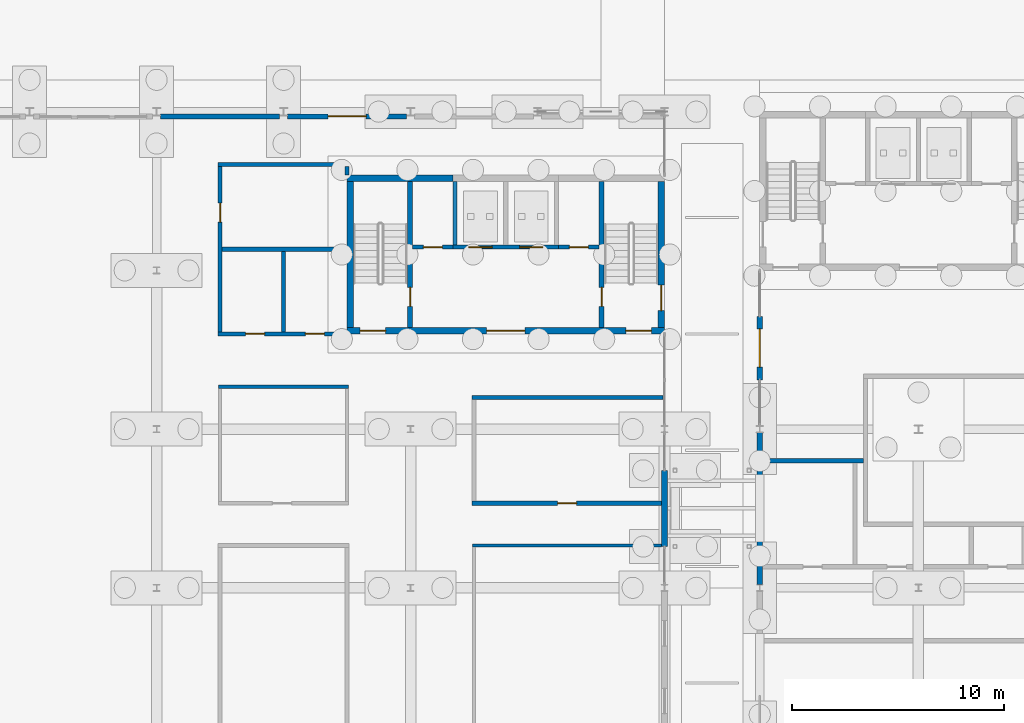
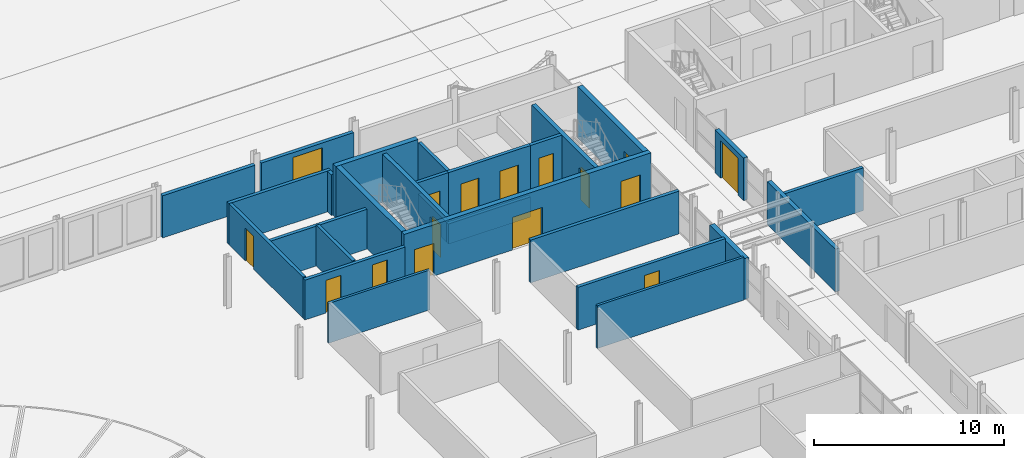
# One storey, part 81 of 130: 28 walls, 16 doors, 16 openings.
"""IFC4 building model written with IfcOpenShell, lengths in metres."""

from ifc_helpers import new_model, si_unit, direction, frame, frame_2d, origin, place, context, subcontext, project, spatial, rectangle, extrude, material, layer, layer_set, type_object, element, fill, save


model = new_model("IFC4")

# Units and contexts
model_context = context("Model", 3, precision=1e-05, world=origin(), true_north=direction((0.0, 1.0)))
body_context = subcontext(model_context, "Body", "Model", "MODEL_VIEW")
ifc_project = project(units=[si_unit("LENGTHUNIT", "METRE"), si_unit("AREAUNIT", "SQUARE_METRE"), si_unit("VOLUMEUNIT", "CUBIC_METRE"), si_unit("PLANEANGLEUNIT", "RADIAN"), si_unit("MASSUNIT", "GRAM", prefix="KILO")], contexts=[model_context])

# Site, building, storey
site_placement = place(None, origin())
site = spatial("IfcSite", under=ifc_project, at=site_placement, CompositionType="ELEMENT")
building_placement = place(site_placement, origin())
building = spatial("IfcBuilding", under=site, at=building_placement, Name="Parallax Yard Mobility Hub", CompositionType="ELEMENT")
storey_placement = place(building_placement, origin())
storey = spatial("IfcBuildingStorey", under=building, at=storey_placement, Name="L00", CompositionType="ELEMENT", Elevation=0.0)

# Wall, openings, doors
ifc_material_1 = material(Name="Concrete fc' 35 MPa", Category="concrete")
ifc_layer_1 = layer(ifc_material_1, 0.300048828125)
ifc_layer_set_1 = layer_set([ifc_layer_1], Name="Concrete fc' 35 MPa core wall 300")
wall_type_1 = type_object("IfcWallType", Name="Concrete fc' 35 MPa core wall 300", PredefinedType="SHEAR", material=ifc_layer_set_1)
wall_1_placement = place(storey_placement, frame((93.0, 42.14990234375, 0.0), z_axis=(0.0, 0.0, 1.0), x_axis=(-1.0, 0.0, 0.0)))
wall_1 = element("IfcWall", 1, at=wall_1_placement, inside=storey, type_object=wall_type_1, Name="Core C1 entry wall level L00", PredefinedType="SHEAR", context=body_context, shape_type="SweptSolid", body=[
    extrude(rectangle(XDim=15.0, YDim=0.300048828125, at=frame_2d((7.5, 0.0))), origin(), (0.0, 0.0, 1.0), 3.300048828125),
])
opening_1_placement = place(wall_1_placement, frame((13.179931640625, 0.0, 0.0)))
opening_1 = element("IfcOpeningElement", 2, at=opening_1_placement, cuts=wall_1, Name="Opening L00-D775", PredefinedType="OPENING", context=body_context, shape_type="SweptSolid", body=[
    extrude(rectangle(XDim=1.199951171875, YDim=2.10009765625, at=frame_2d((0.60009765625, 1.050048828125))), frame((0.0, 0.16015625, 0.0), z_axis=(0.0, -1.0, 0.0), x_axis=(1.0, 0.0, 0.0)), (0.0, 0.0, 1.0), 0.320068359375),
])
opening_2_placement = place(wall_1_placement, frame((0.6201171875, 0.0, 0.0)))
opening_2 = element("IfcOpeningElement", 3, at=opening_2_placement, cuts=wall_1, Name="Opening L00-D776", PredefinedType="OPENING", context=body_context, shape_type="SweptSolid", body=[
    extrude(rectangle(XDim=1.199951171875, YDim=2.10009765625, at=frame_2d((0.60009765625, 1.050048828125))), frame((0.0, 0.16015625, 0.0), z_axis=(0.0, -1.0, 0.0), x_axis=(1.0, 0.0, 0.0)), (0.0, 0.0, 1.0), 0.320068359375),
])
opening_3_placement = place(wall_1_placement, frame((6.60009765625, 0.0, 0.0)))
opening_3 = element("IfcOpeningElement", 4, at=opening_3_placement, cuts=wall_1, Name="Opening L00-D777", PredefinedType="OPENING", context=body_context, shape_type="SweptSolid", body=[
    extrude(rectangle(XDim=1.800048828125, YDim=2.10009765625, at=frame_2d((0.89990234375, 1.050048828125))), frame((0.0, 0.16015625, 0.0), z_axis=(0.0, -1.0, 0.0), x_axis=(1.0, 0.0, 0.0)), (0.0, 0.0, 1.0), 0.320068359375),
])
ifc_material_2 = material(Name="Hollow metal steel door and frame", Category="steel")
door_type_1 = type_object("IfcDoorType", Name="Core door 1200 x 2100 FD90", OperationType="NOTDEFINED", PredefinedType="DOOR", material=ifc_material_2)
door_1_placement = place(opening_1_placement, origin())
door_1 = element("IfcDoor", 5, at=door_1_placement, inside=storey, type_object=door_type_1, Name="Stair deck door L00-D775, core C1 level L00", OperationType="SINGLE_SWING_RIGHT", OverallHeight=2.10009765625, OverallWidth=1.199951171875, PredefinedType="DOOR", context=body_context, shape_type="SweptSolid", body=[
    extrude(rectangle(XDim=1.199951171875, YDim=2.10009765625, at=frame_2d((0.60009765625, 1.050048828125))), frame((0.0, 0.02490234375, 0.0), z_axis=(0.0, -1.0, 0.0), x_axis=(1.0, 0.0, 0.0)), (0.0, 0.0, 1.0), 0.050048828125),
])
fill(opening_1, door_1)
door_2_placement = place(opening_2_placement, origin())
door_2 = element("IfcDoor", 6, at=door_2_placement, inside=storey, type_object=door_type_1, Name="Stair deck door L00-D776, core C1 level L00", OperationType="SINGLE_SWING_LEFT", OverallHeight=2.10009765625, OverallWidth=1.199951171875, PredefinedType="DOOR", context=body_context, shape_type="SweptSolid", body=[
    extrude(rectangle(XDim=1.199951171875, YDim=2.10009765625, at=frame_2d((0.60009765625, 1.050048828125))), frame((0.0, 0.02490234375, 0.0), z_axis=(0.0, -1.0, 0.0), x_axis=(1.0, 0.0, 0.0)), (0.0, 0.0, 1.0), 0.050048828125),
])
fill(opening_2, door_2)
door_type_2 = type_object("IfcDoorType", Name="Core double door 1800 x 2100 FD90", OperationType="NOTDEFINED", PredefinedType="DOOR", material=ifc_material_2)
door_3_placement = place(opening_3_placement, origin())
door_3 = element("IfcDoor", 7, at=door_3_placement, inside=storey, type_object=door_type_2, Name="Lift lobby door L00-D777, core C1 level L00", OperationType="DOUBLE_DOOR_SINGLE_SWING", OverallHeight=2.10009765625, OverallWidth=1.800048828125, PredefinedType="DOOR", context=body_context, shape_type="SweptSolid", body=[
    extrude(rectangle(XDim=1.800048828125, YDim=2.10009765625, at=frame_2d((0.89990234375, 1.050048828125))), frame((0.0, 0.02490234375, 0.0), z_axis=(0.0, -1.0, 0.0), x_axis=(1.0, 0.0, 0.0)), (0.0, 0.0, 1.0), 0.050048828125),
])
fill(opening_3, door_3)

# Walls
wall_2_placement = place(storey_placement, frame((78.0, 49.35009765625, 0.0), z_axis=(0.0, 0.0, 1.0), x_axis=(1.0, 0.0, 0.0)))
element("IfcWall", 8, at=wall_2_placement, inside=storey, type_object=wall_type_1, Name="Core C1 back wall part 1 level L00", PredefinedType="SHEAR", context=body_context, shape_type="SweptSolid", body=[
    extrude(rectangle(XDim=5.0, YDim=0.300048828125, at=frame_2d((2.5, 0.0))), origin(), (0.0, 0.0, 1.0), 3.300048828125),
])
wall_3_placement = place(storey_placement, frame((78.14990234375, 42.300048828125, 0.0), z_axis=(0.0, 0.0, 1.0), x_axis=(0.0, 1.0, 0.0)))
element("IfcWall", 9, at=wall_3_placement, inside=storey, type_object=wall_type_1, Name="Core C1 west-side end wall level L00", PredefinedType="SHEAR", context=body_context, shape_type="SweptSolid", body=[
    extrude(rectangle(XDim=6.89990234375, YDim=0.300048828125, at=frame_2d((3.449951171875, 0.0))), origin(), (0.0, 0.0, 1.0), 3.300048828125),
])

# Wall, opening, door
wall_4_placement = place(storey_placement, frame((92.85009765625, 49.199951171875, 0.0), z_axis=(0.0, 0.0, 1.0), x_axis=(0.0, -1.0, 0.0)))
wall_4 = element("IfcWall", 10, at=wall_4_placement, inside=storey, type_object=wall_type_1, Name="Core C1 east-side end wall level L00", PredefinedType="SHEAR", context=body_context, shape_type="SweptSolid", body=[
    extrude(rectangle(XDim=6.89990234375, YDim=0.300048828125, at=frame_2d((3.449951171875, 0.0))), origin(), (0.0, 0.0, 1.0), 3.300048828125),
])
opening_4_placement = place(wall_4_placement, frame((4.89990234375, 0.0, 0.0)))
opening_4 = element("IfcOpeningElement", 11, at=opening_4_placement, cuts=wall_4, Name="Opening L00-D784", PredefinedType="OPENING", context=body_context, shape_type="SweptSolid", body=[
    extrude(rectangle(XDim=1.199951171875, YDim=2.10009765625, at=frame_2d((0.60009765625, 1.050048828125))), frame((0.0, 0.16015625, 0.0), z_axis=(0.0, -1.0, 0.0), x_axis=(1.0, 0.0, 0.0)), (0.0, 0.0, 1.0), 0.320068359375),
])
door_4_placement = place(opening_4_placement, origin())
door_4 = element("IfcDoor", 12, at=door_4_placement, inside=storey, type_object=door_type_1, Name="Stair exit door L00-D784, core C1 level L00", OperationType="SINGLE_SWING_RIGHT", OverallHeight=2.10009765625, OverallWidth=1.199951171875, PredefinedType="DOOR", context=body_context, shape_type="SweptSolid", body=[
    extrude(rectangle(XDim=1.199951171875, YDim=2.10009765625, at=frame_2d((0.60009765625, 1.050048828125))), frame((0.0, 0.02490234375, 0.0), z_axis=(0.0, -1.0, 0.0), x_axis=(1.0, 0.0, 0.0)), (0.0, 0.0, 1.0), 0.050048828125),
])
fill(opening_4, door_4)

ifc_layer_2 = layer(ifc_material_1, 0.199951171875)
ifc_layer_set_2 = layer_set([ifc_layer_2], Name="Concrete fc' 35 MPa internal core wall 200")
wall_type_2 = type_object("IfcWallType", Name="Concrete fc' 35 MPa internal core wall 200", PredefinedType="STANDARD", material=ifc_layer_set_2)
wall_5_placement = place(storey_placement, frame((83.0, 46.10009765625, 0.0), z_axis=(0.0, 0.0, 1.0), x_axis=(-1.0, 0.0, 0.0)))
wall_5 = element("IfcWall", 13, at=wall_5_placement, inside=storey, type_object=wall_type_2, Name="Core C1 lift front 1 part 1 level L00", PredefinedType="STANDARD", context=body_context, shape_type="SweptSolid", body=[
    extrude(rectangle(XDim=1.89990234375, YDim=0.199951171875, at=frame_2d((0.949951171875, 0.0))), origin(), (0.0, 0.0, 1.0), 3.10009765625),
])
opening_5_placement = place(wall_5_placement, frame((0.5, 0.0, 0.0)))
opening_5 = element("IfcOpeningElement", 14, at=opening_5_placement, cuts=wall_5, Name="Opening L00-D782", PredefinedType="OPENING", context=body_context, shape_type="SweptSolid", body=[
    extrude(rectangle(XDim=0.89990234375, YDim=2.10009765625, at=frame_2d((0.449951171875, 1.050048828125))), frame((0.0, 0.10986328125, 0.0), z_axis=(0.0, -1.0, 0.0), x_axis=(1.0, 0.0, 0.0)), (0.0, 0.0, 1.0), 0.219970703125),
])
door_type_3 = type_object("IfcDoorType", Name="Riser door 900 x 2100 FD90", OperationType="NOTDEFINED", PredefinedType="DOOR", material=ifc_material_2)
door_5_placement = place(opening_5_placement, origin())
door_5 = element("IfcDoor", 15, at=door_5_placement, inside=storey, type_object=door_type_3, Name="Riser door L00-D782, core C1 level L00", OperationType="SINGLE_SWING_RIGHT", OverallHeight=2.10009765625, OverallWidth=0.89990234375, PredefinedType="DOOR", context=body_context, shape_type="SweptSolid", body=[
    extrude(rectangle(XDim=0.89990234375, YDim=2.10009765625, at=frame_2d((0.449951171875, 1.050048828125))), frame((0.0, 0.02490234375, 0.0), z_axis=(0.0, -1.0, 0.0), x_axis=(1.0, 0.0, 0.0)), (0.0, 0.0, 1.0), 0.050048828125),
])
fill(opening_5, door_5)

# Wall, openings, doors
wall_6_placement = place(storey_placement, frame((83.0, 46.10009765625, 0.0), z_axis=(0.0, 0.0, 1.0), x_axis=(1.0, 0.0, 0.0)))
wall_6 = element("IfcWall", 16, at=wall_6_placement, inside=storey, type_object=wall_type_2, Name="Core C1 lift front 2 part 2 level L00", PredefinedType="STANDARD", context=body_context, shape_type="SweptSolid", body=[
    extrude(rectangle(XDim=5.0, YDim=0.199951171875, at=frame_2d((2.5, 0.0))), origin(), (0.0, 0.0, 1.0), 3.10009765625),
])
opening_6_placement = place(wall_6_placement, frame((0.75, 0.0, 0.0)))
opening_6 = element("IfcOpeningElement", 17, at=opening_6_placement, cuts=wall_6, Name="Opening L00-D780", PredefinedType="OPENING", context=body_context, shape_type="SweptSolid", body=[
    extrude(rectangle(XDim=1.10009765625, YDim=2.10009765625, at=frame_2d((0.550048828125, 1.050048828125))), frame((0.0, 0.10986328125, 0.0), z_axis=(0.0, -1.0, 0.0), x_axis=(1.0, 0.0, 0.0)), (0.0, 0.0, 1.0), 0.219970703125),
])
opening_7_placement = place(wall_6_placement, frame((3.14990234375, 0.0, 0.0)))
opening_7 = element("IfcOpeningElement", 18, at=opening_7_placement, cuts=wall_6, Name="Opening L00-D781", PredefinedType="OPENING", context=body_context, shape_type="SweptSolid", body=[
    extrude(rectangle(XDim=1.10009765625, YDim=2.10009765625, at=frame_2d((0.550048828125, 1.050048828125))), frame((0.0, 0.10986328125, 0.0), z_axis=(0.0, -1.0, 0.0), x_axis=(1.0, 0.0, 0.0)), (0.0, 0.0, 1.0), 0.219970703125),
])
ifc_material_3 = material(Name="Stainless steel sliding door and frame", Category="steel")
door_type_4 = type_object("IfcDoorType", Name="Lift landing door 1100 x 2100 FD90", OperationType="DOUBLE_DOOR_SLIDING", PredefinedType="DOOR", material=ifc_material_3)
door_6_placement = place(opening_6_placement, origin())
door_6 = element("IfcDoor", 19, at=door_6_placement, inside=storey, type_object=door_type_4, Name="Lift landing door L00-D780, core C1 level L00", OperationType="DOUBLE_DOOR_SLIDING", OverallHeight=2.10009765625, OverallWidth=1.10009765625, PredefinedType="DOOR", context=body_context, shape_type="SweptSolid", body=[
    extrude(rectangle(XDim=1.10009765625, YDim=2.10009765625, at=frame_2d((0.550048828125, 1.050048828125))), frame((0.0, 0.02490234375, 0.0), z_axis=(0.0, -1.0, 0.0), x_axis=(1.0, 0.0, 0.0)), (0.0, 0.0, 1.0), 0.050048828125),
])
fill(opening_6, door_6)
door_7_placement = place(opening_7_placement, origin())
door_7 = element("IfcDoor", 20, at=door_7_placement, inside=storey, type_object=door_type_4, Name="Lift landing door L00-D781, core C1 level L00", OperationType="DOUBLE_DOOR_SLIDING", OverallHeight=2.10009765625, OverallWidth=1.10009765625, PredefinedType="DOOR", context=body_context, shape_type="SweptSolid", body=[
    extrude(rectangle(XDim=1.10009765625, YDim=2.10009765625, at=frame_2d((0.550048828125, 1.050048828125))), frame((0.0, 0.02490234375, 0.0), z_axis=(0.0, -1.0, 0.0), x_axis=(1.0, 0.0, 0.0)), (0.0, 0.0, 1.0), 0.050048828125),
])
fill(opening_7, door_7)

# Wall, opening, door
wall_7_placement = place(storey_placement, frame((89.89990234375, 46.10009765625, 0.0), z_axis=(0.0, 0.0, 1.0), x_axis=(-1.0, 0.0, 0.0)))
wall_7 = element("IfcWall", 21, at=wall_7_placement, inside=storey, type_object=wall_type_2, Name="Core C1 lift front 3 part 3 level L00", PredefinedType="STANDARD", context=body_context, shape_type="SweptSolid", body=[
    extrude(rectangle(XDim=1.89990234375, YDim=0.199951171875, at=frame_2d((0.949951171875, 0.0))), origin(), (0.0, 0.0, 1.0), 3.10009765625),
])
opening_8_placement = place(wall_7_placement, frame((0.5, 0.0, 0.0)))
opening_8 = element("IfcOpeningElement", 22, at=opening_8_placement, cuts=wall_7, Name="Opening L00-D783", PredefinedType="OPENING", context=body_context, shape_type="SweptSolid", body=[
    extrude(rectangle(XDim=0.89990234375, YDim=2.10009765625, at=frame_2d((0.449951171875, 1.050048828125))), frame((0.0, 0.10986328125, 0.0), z_axis=(0.0, -1.0, 0.0), x_axis=(1.0, 0.0, 0.0)), (0.0, 0.0, 1.0), 0.219970703125),
])
door_8_placement = place(opening_8_placement, origin())
door_8 = element("IfcDoor", 23, at=door_8_placement, inside=storey, type_object=door_type_3, Name="Riser door L00-D783, core C1 level L00", OperationType="SINGLE_SWING_LEFT", OverallHeight=2.10009765625, OverallWidth=0.89990234375, PredefinedType="DOOR", context=body_context, shape_type="SweptSolid", body=[
    extrude(rectangle(XDim=0.89990234375, YDim=2.10009765625, at=frame_2d((0.449951171875, 1.050048828125))), frame((0.0, 0.02490234375, 0.0), z_axis=(0.0, -1.0, 0.0), x_axis=(1.0, 0.0, 0.0)), (0.0, 0.0, 1.0), 0.050048828125),
])
fill(opening_8, door_8)

# Walls
wall_8_placement = place(storey_placement, frame((83.10009765625, 46.199951171875, 0.0), z_axis=(0.0, 0.0, 1.0), x_axis=(0.0, 1.0, 0.0)))
element("IfcWall", 24, at=wall_8_placement, inside=storey, type_object=wall_type_2, Name="Core C1 lift wall 1 part 1 level L00", PredefinedType="STANDARD", context=body_context, shape_type="SweptSolid", body=[
    extrude(rectangle(XDim=3.0, YDim=0.199951171875, at=frame_2d((1.5, 0.0))), origin(), (0.0, 0.0, 1.0), 3.10009765625),
])
wall_9_placement = place(storey_placement, frame((83.0, 46.10009765625, -1.5), z_axis=(0.0, 0.0, 1.0), x_axis=(1.0, 0.0, 0.0)))
element("IfcWall", 25, at=wall_9_placement, inside=storey, type_object=wall_type_2, Name="Core C1 lift pit wall front (shaft group 1)", PredefinedType="STANDARD", context=body_context, shape_type="SweptSolid", body=[
    extrude(rectangle(XDim=5.0, YDim=0.199951171875, at=frame_2d((2.5, 0.0))), origin(), (0.0, 0.0, 1.0), 1.300048828125),
])
wall_10_placement = place(storey_placement, frame((83.10009765625, 46.199951171875, -1.5), z_axis=(0.0, 0.0, 1.0), x_axis=(0.0, 1.0, 0.0)))
element("IfcWall", 26, at=wall_10_placement, inside=storey, type_object=wall_type_2, Name="Core C1 lift pit wall side 1 (shaft group 1)", PredefinedType="STANDARD", context=body_context, shape_type="SweptSolid", body=[
    extrude(rectangle(XDim=3.0, YDim=0.199951171875, at=frame_2d((1.5, 0.0))), origin(), (0.0, 0.0, 1.0), 1.300048828125),
])

# Wall, opening, door
ifc_layer_3 = layer(ifc_material_1, 0.25)
ifc_layer_set_3 = layer_set([ifc_layer_3], Name="Concrete fc' 35 MPa stair enclosure wall 250")
wall_type_3 = type_object("IfcWallType", Name="Concrete fc' 35 MPa stair enclosure wall 250", PredefinedType="STANDARD", material=ifc_layer_set_3)
wall_11_placement = place(storey_placement, frame((80.97509765625, 42.300048828125, 0.0), z_axis=(0.0, 0.0, 1.0), x_axis=(0.0, 1.0, 0.0)))
wall_11 = element("IfcWall", 27, at=wall_11_placement, inside=storey, type_object=wall_type_3, Name="Core C1 stair 1 partition level L00", PredefinedType="STANDARD", context=body_context, shape_type="SweptSolid", body=[
    extrude(rectangle(XDim=6.89990234375, YDim=0.25, at=frame_2d((3.449951171875, 0.0))), origin(), (0.0, 0.0, 1.0), 3.10009765625),
])
opening_9_placement = place(wall_11_placement, frame((1.0, 0.0, 0.0)))
opening_9 = element("IfcOpeningElement", 28, at=opening_9_placement, cuts=wall_11, Name="Opening L00-D778", PredefinedType="OPENING", context=body_context, shape_type="SweptSolid", body=[
    extrude(rectangle(XDim=0.89990234375, YDim=2.10009765625, at=frame_2d((0.449951171875, 1.050048828125))), frame((0.0, 0.135009765625, 0.0), z_axis=(0.0, -1.0, 0.0), x_axis=(1.0, 0.0, 0.0)), (0.0, 0.0, 1.0), 0.27001953125),
])
door_type_5 = type_object("IfcDoorType", Name="Core door 900 x 2100 FD90", OperationType="NOTDEFINED", PredefinedType="DOOR", material=ifc_material_2)
door_9_placement = place(opening_9_placement, origin())
door_9 = element("IfcDoor", 29, at=door_9_placement, inside=storey, type_object=door_type_5, Name="Stair lobby door L00-D778, core C1 level L00", OperationType="SINGLE_SWING_LEFT", OverallHeight=2.10009765625, OverallWidth=0.89990234375, PredefinedType="DOOR", context=body_context, shape_type="SweptSolid", body=[
    extrude(rectangle(XDim=0.89990234375, YDim=2.10009765625, at=frame_2d((0.449951171875, 1.050048828125))), frame((0.0, 0.02490234375, 0.0), z_axis=(0.0, -1.0, 0.0), x_axis=(1.0, 0.0, 0.0)), (0.0, 0.0, 1.0), 0.050048828125),
])
fill(opening_9, door_9)

wall_12_placement = place(storey_placement, frame((90.02490234375, 49.199951171875, 0.0), z_axis=(0.0, 0.0, 1.0), x_axis=(0.0, -1.0, 0.0)))
wall_12 = element("IfcWall", 30, at=wall_12_placement, inside=storey, type_object=wall_type_3, Name="Core C1 stair 2 partition level L00", PredefinedType="STANDARD", context=body_context, shape_type="SweptSolid", body=[
    extrude(rectangle(XDim=6.89990234375, YDim=0.25, at=frame_2d((3.449951171875, 0.0))), origin(), (0.0, 0.0, 1.0), 3.10009765625),
])
opening_10_placement = place(wall_12_placement, frame((5.0, 0.0, 0.0)))
opening_10 = element("IfcOpeningElement", 31, at=opening_10_placement, cuts=wall_12, Name="Opening L00-D779", PredefinedType="OPENING", context=body_context, shape_type="SweptSolid", body=[
    extrude(rectangle(XDim=0.89990234375, YDim=2.10009765625, at=frame_2d((0.449951171875, 1.050048828125))), frame((0.0, 0.135009765625, 0.0), z_axis=(0.0, -1.0, 0.0), x_axis=(1.0, 0.0, 0.0)), (0.0, 0.0, 1.0), 0.27001953125),
])
door_10_placement = place(opening_10_placement, origin())
door_10 = element("IfcDoor", 32, at=door_10_placement, inside=storey, type_object=door_type_5, Name="Stair lobby door L00-D779, core C1 level L00", OperationType="SINGLE_SWING_RIGHT", OverallHeight=2.10009765625, OverallWidth=0.89990234375, PredefinedType="DOOR", context=body_context, shape_type="SweptSolid", body=[
    extrude(rectangle(XDim=0.89990234375, YDim=2.10009765625, at=frame_2d((0.449951171875, 1.050048828125))), frame((0.0, 0.02490234375, 0.0), z_axis=(0.0, -1.0, 0.0), x_axis=(1.0, 0.0, 0.0)), (0.0, 0.0, 1.0), 0.050048828125),
])
fill(opening_10, door_10)

# Wall
ifc_layer_4 = layer(ifc_material_1, 0.25)
ifc_layer_set_4 = layer_set([ifc_layer_4], Name="Exterior wall, Concrete fc' 35 MPa precast, 250 with insulation lining")
wall_type_4 = type_object("IfcWallType", Name="Exterior wall, Concrete fc' 35 MPa precast, 250 with insulation lining", PredefinedType="SOLIDWALL", material=ifc_layer_set_4)
wall_13_placement = place(storey_placement, frame((97.5, 30.153564453125, 0.0), z_axis=(0.0, 0.0, 1.0), x_axis=(0.0, 1.0, 0.0)))
element("IfcWall", 33, at=wall_13_placement, inside=storey, type_object=wall_type_4, Name="Mobility service centre and workshops west wall bay 4 level L00", PredefinedType="SOLIDWALL", context=body_context, shape_type="SweptSolid", body=[
    extrude(rectangle(XDim=7.184814453125, YDim=0.25, at=frame_2d((3.59228515625, 0.0))), origin(), (0.0, 0.0, 1.0), 2.7509765625),
])

# Wall, opening, door
wall_14_placement = place(storey_placement, frame((97.5, 39.830810546875, 0.0), z_axis=(0.0, 0.0, 1.0), x_axis=(0.0, 1.0, 0.0)))
wall_14 = element("IfcWall", 34, at=wall_14_placement, inside=storey, type_object=wall_type_4, Name="Mobility service centre and workshops west door pier bay 5 level L00", PredefinedType="SOLIDWALL", context=body_context, shape_type="SweptSolid", body=[
    extrude(rectangle(XDim=3.0, YDim=0.25, at=frame_2d((1.5, 0.0))), origin(), (0.0, 0.0, 1.0), 2.7509765625),
])
opening_11_placement = place(wall_14_placement, frame((0.60009765625, 0.0, 0.0)))
opening_11 = element("IfcOpeningElement", 35, at=opening_11_placement, cuts=wall_14, Name="Opening L00-D122", PredefinedType="OPENING", context=body_context, shape_type="SweptSolid", body=[
    extrude(rectangle(XDim=1.800048828125, YDim=2.39990234375, at=frame_2d((0.89990234375, 1.199951171875))), frame((0.0, 0.135009765625, 0.0), z_axis=(0.0, -1.0, 0.0), x_axis=(1.0, 0.0, 0.0)), (0.0, 0.0, 1.0), 0.27001953125),
])
ifc_material_4 = material(Name="Aluminium frame with laminated glass leaves", Category="aluminium")
door_type_6 = type_object("IfcDoorType", Name="Entrance door double 1800 x 2400", OperationType="DOUBLE_DOOR_SINGLE_SWING", PredefinedType="DOOR", material=ifc_material_4)
door_11_placement = place(opening_11_placement, origin())
door_11 = element("IfcDoor", 36, at=door_11_placement, inside=storey, type_object=door_type_6, Name="Entrance door L00-D122", OperationType="DOUBLE_DOOR_SINGLE_SWING", OverallHeight=2.39990234375, OverallWidth=1.800048828125, PredefinedType="DOOR", context=body_context, shape_type="SweptSolid", body=[
    extrude(rectangle(XDim=1.800048828125, YDim=2.39990234375, at=frame_2d((0.89990234375, 1.199951171875))), frame((0.0, 0.02490234375, 0.0), z_axis=(0.0, -1.0, 0.0), x_axis=(1.0, 0.0, 0.0)), (0.0, 0.0, 1.0), 0.050048828125),
])
fill(opening_11, door_11)

ifc_material_5 = material(Name="Fire-rated plasterboard partition, two layers each side")
ifc_layer_5 = layer(ifc_material_5, 0.199951171875)
ifc_layer_set_5 = layer_set([ifc_layer_5], Name="Fire-rated partition 200 mm")
wall_type_5 = type_object("IfcWallType", Name="Fire-rated partition 200 mm", PredefinedType="PARTITIONING", material=ifc_layer_set_5)
wall_15_placement = place(storey_placement, frame((83.89990234375, 34.0, 0.0), z_axis=(0.0, 0.0, 1.0), x_axis=(1.0, 0.0, 0.0)))
wall_15 = element("IfcWall", 37, at=wall_15_placement, inside=storey, type_object=wall_type_5, Name="Partition 23 level L00", PredefinedType="PARTITIONING", context=body_context, shape_type="SweptSolid", body=[
    extrude(rectangle(XDim=8.9501953125, YDim=0.199951171875, at=frame_2d((4.47509765625, 0.0))), origin(), (0.0, 0.0, 1.0), 2.75390625),
])
opening_12_placement = place(wall_15_placement, frame((4.050048828125, 0.0, 0.0)))
opening_12 = element("IfcOpeningElement", 38, at=opening_12_placement, cuts=wall_15, Name="Opening L00-D221", PredefinedType="OPENING", context=body_context, shape_type="SweptSolid", body=[
    extrude(rectangle(XDim=0.89990234375, YDim=2.10009765625, at=frame_2d((0.449951171875, 1.050048828125))), frame((0.0, 0.10986328125, 0.0), z_axis=(0.0, -1.0, 0.0), x_axis=(1.0, 0.0, 0.0)), (0.0, 0.0, 1.0), 0.219970703125),
])
ifc_material_6 = material(Name="Hollow metal fire door leaf with intumescent seals")
door_type_7 = type_object("IfcDoorType", Name="Fire door 900 mm FD60", OperationType="NOTDEFINED", PredefinedType="DOOR", material=ifc_material_6)
door_12_placement = place(opening_12_placement, origin())
door_12 = element("IfcDoor", 39, at=door_12_placement, inside=storey, type_object=door_type_7, Name="Door L00-D221 First Aid Room", OperationType="SINGLE_SWING_LEFT", OverallHeight=2.10009765625, OverallWidth=0.89990234375, PredefinedType="DOOR", context=body_context, shape_type="SweptSolid", body=[
    extrude(rectangle(XDim=0.89990234375, YDim=2.10009765625, at=frame_2d((0.449951171875, 1.050048828125))), frame((0.0, 0.02490234375, 0.0), z_axis=(0.0, -1.0, 0.0), x_axis=(1.0, 0.0, 0.0)), (0.0, 0.0, 1.0), 0.050048828125),
])
fill(opening_12, door_12)

# Walls
wall_16_placement = place(storey_placement, frame((97.625, 36.0, 0.0), z_axis=(0.0, 0.0, 1.0), x_axis=(1.0, 0.0, 0.0)))
element("IfcWall", 40, at=wall_16_placement, inside=storey, type_object=wall_type_5, Name="Partition 24 level L00", PredefinedType="PARTITIONING", context=body_context, shape_type="SweptSolid", body=[
    extrude(rectangle(XDim=4.77490234375, YDim=0.199951171875, at=frame_2d((2.387451171875, 0.0))), origin(), (0.0, 0.0, 1.0), 2.7509765625),
])
wall_17_placement = place(storey_placement, frame((83.89990234375, 39.0, 0.0), z_axis=(0.0, 0.0, 1.0), x_axis=(1.0, 0.0, 0.0)))
element("IfcWall", 41, at=wall_17_placement, inside=storey, type_object=wall_type_5, Name="Partition 27 level L00", PredefinedType="PARTITIONING", context=body_context, shape_type="SweptSolid", body=[
    extrude(rectangle(XDim=9.025146484375, YDim=0.199951171875, at=frame_2d((4.5126953125, 0.0))), origin(), (0.0, 0.0, 1.0), 2.75390625),
])

# Wall, openings, doors
wall_18_placement = place(storey_placement, frame((71.89990234375, 42.0, 0.0), z_axis=(0.0, 0.0, 1.0), x_axis=(1.0, 0.0, 0.0)))
wall_18 = element("IfcWall", 42, at=wall_18_placement, inside=storey, type_object=wall_type_5, Name="Partition 31 level L00", PredefinedType="PARTITIONING", context=body_context, shape_type="SweptSolid", body=[
    extrude(rectangle(XDim=6.10009765625, YDim=0.199951171875, at=frame_2d((3.050048828125, 0.0))), origin(), (0.0, 0.0, 1.0), 2.56005859375),
])
opening_13_placement = place(wall_18_placement, frame((1.300048828125, 0.0, 0.0)))
opening_13 = element("IfcOpeningElement", 43, at=opening_13_placement, cuts=wall_18, Name="Opening L00-D223", PredefinedType="OPENING", context=body_context, shape_type="SweptSolid", body=[
    extrude(rectangle(XDim=0.89990234375, YDim=2.10009765625, at=frame_2d((0.449951171875, 1.050048828125))), frame((0.0, 0.10986328125, 0.0), z_axis=(0.0, -1.0, 0.0), x_axis=(1.0, 0.0, 0.0)), (0.0, 0.0, 1.0), 0.219970703125),
])
opening_14_placement = place(wall_18_placement, frame((4.125244140625, 0.0, 0.0)))
opening_14 = element("IfcOpeningElement", 44, at=opening_14_placement, cuts=wall_18, Name="Opening L00-D224", PredefinedType="OPENING", context=body_context, shape_type="SweptSolid", body=[
    extrude(rectangle(XDim=0.89990234375, YDim=2.10009765625, at=frame_2d((0.449951171875, 1.050048828125))), frame((0.0, 0.10986328125, 0.0), z_axis=(0.0, -1.0, 0.0), x_axis=(1.0, 0.0, 0.0)), (0.0, 0.0, 1.0), 0.219970703125),
])
door_13_placement = place(opening_13_placement, origin())
door_13 = element("IfcDoor", 45, at=door_13_placement, inside=storey, type_object=door_type_7, Name="Door L00-D223 Men's WC", OperationType="SINGLE_SWING_LEFT", OverallHeight=2.10009765625, OverallWidth=0.89990234375, PredefinedType="DOOR", context=body_context, shape_type="SweptSolid", body=[
    extrude(rectangle(XDim=0.89990234375, YDim=2.10009765625, at=frame_2d((0.449951171875, 1.050048828125))), frame((0.0, 0.02490234375, 0.0), z_axis=(0.0, -1.0, 0.0), x_axis=(1.0, 0.0, 0.0)), (0.0, 0.0, 1.0), 0.050048828125),
])
fill(opening_13, door_13)
door_14_placement = place(opening_14_placement, origin())
door_14 = element("IfcDoor", 46, at=door_14_placement, inside=storey, type_object=door_type_7, Name="Door L00-D224 Women's WC", OperationType="SINGLE_SWING_RIGHT", OverallHeight=2.10009765625, OverallWidth=0.89990234375, PredefinedType="DOOR", context=body_context, shape_type="SweptSolid", body=[
    extrude(rectangle(XDim=0.89990234375, YDim=2.10009765625, at=frame_2d((0.449951171875, 1.050048828125))), frame((0.0, 0.02490234375, 0.0), z_axis=(0.0, -1.0, 0.0), x_axis=(1.0, 0.0, 0.0)), (0.0, 0.0, 1.0), 0.050048828125),
])
fill(opening_14, door_14)

# Walls
wall_19_placement = place(storey_placement, frame((72.10009765625, 46.0, 0.0), z_axis=(0.0, 0.0, 1.0), x_axis=(1.0, 0.0, 0.0)))
element("IfcWall", 47, at=wall_19_placement, inside=storey, type_object=wall_type_5, Name="Partition 32 level L00", PredefinedType="PARTITIONING", context=body_context, shape_type="SweptSolid", body=[
    extrude(rectangle(XDim=5.89990234375, YDim=0.199951171875, at=frame_2d((2.949951171875, 0.0))), origin(), (0.0, 0.0, 1.0), 2.56005859375),
])
wall_20_placement = place(storey_placement, frame((71.89990234375, 50.0, 0.0), z_axis=(0.0, 0.0, 1.0), x_axis=(1.0, 0.0, 0.0)))
element("IfcWall", 48, at=wall_20_placement, inside=storey, type_object=wall_type_5, Name="Partition 35 level L00", PredefinedType="PARTITIONING", context=body_context, shape_type="SweptSolid", body=[
    extrude(rectangle(XDim=6.2001953125, YDim=0.199951171875, at=frame_2d((3.10009765625, 0.0))), origin(), (0.0, 0.0, 1.0), 2.626953125),
])

# Wall, opening, door
wall_21_placement = place(storey_placement, frame((72.0, 42.10009765625, 0.0), z_axis=(0.0, 0.0, 1.0), x_axis=(0.0, 1.0, 0.0)))
wall_21 = element("IfcWall", 49, at=wall_21_placement, inside=storey, type_object=wall_type_5, Name="Partition 75 level L00", PredefinedType="PARTITIONING", context=body_context, shape_type="SweptSolid", body=[
    extrude(rectangle(XDim=7.7998046875, YDim=0.199951171875, at=frame_2d((3.89990234375, 0.0))), origin(), (0.0, 0.0, 1.0), 2.626953125),
])
opening_15_placement = place(wall_21_placement, frame((5.17529296875, 0.0, 0.0)))
opening_15 = element("IfcOpeningElement", 50, at=opening_15_placement, cuts=wall_21, Name="Opening L00-D228", PredefinedType="OPENING", context=body_context, shape_type="SweptSolid", body=[
    extrude(rectangle(XDim=0.89990234375, YDim=2.10009765625, at=frame_2d((0.449951171875, 1.050048828125))), frame((0.0, 0.10986328125, 0.0), z_axis=(0.0, -1.0, 0.0), x_axis=(1.0, 0.0, 0.0)), (0.0, 0.0, 1.0), 0.219970703125),
])
door_15_placement = place(opening_15_placement, origin())
door_15 = element("IfcDoor", 51, at=door_15_placement, inside=storey, type_object=door_type_7, Name="Door L00-D228 Accessible WC", OperationType="SINGLE_SWING_RIGHT", OverallHeight=2.10009765625, OverallWidth=0.89990234375, PredefinedType="DOOR", context=body_context, shape_type="SweptSolid", body=[
    extrude(rectangle(XDim=0.89990234375, YDim=2.10009765625, at=frame_2d((0.449951171875, 1.050048828125))), frame((0.0, 0.02490234375, 0.0), z_axis=(0.0, -1.0, 0.0), x_axis=(1.0, 0.0, 0.0)), (0.0, 0.0, 1.0), 0.050048828125),
])
fill(opening_15, door_15)

# Walls
wall_22_placement = place(storey_placement, frame((75.0, 42.10009765625, 0.0), z_axis=(0.0, 0.0, 1.0), x_axis=(0.0, 1.0, 0.0)))
element("IfcWall", 52, at=wall_22_placement, inside=storey, type_object=wall_type_5, Name="Partition 76 level L00", PredefinedType="PARTITIONING", context=body_context, shape_type="SweptSolid", body=[
    extrude(rectangle(XDim=3.7998046875, YDim=0.199951171875, at=frame_2d((1.89990234375, 0.0))), origin(), (0.0, 0.0, 1.0), 2.626953125),
])
wall_23_placement = place(storey_placement, frame((78.0, 49.5, 0.0), z_axis=(0.0, 0.0, 1.0), x_axis=(0.0, 1.0, 0.0)))
element("IfcWall", 53, at=wall_23_placement, inside=storey, type_object=wall_type_5, Name="Partition 79 level L00", PredefinedType="PARTITIONING", context=body_context, shape_type="SweptSolid", body=[
    extrude(rectangle(XDim=0.39990234375, YDim=0.199951171875, at=frame_2d((0.199951171875, 0.0))), origin(), (0.0, 0.0, 1.0), 2.626953125),
])
ifc_layer_6 = layer(ifc_material_1, 0.219970703125)
ifc_layer_set_6 = layer_set([ifc_layer_6], Name="Gable panel, Concrete fc' 35 MPa precast, 220")
wall_type_6 = type_object("IfcWallType", Name="Gable panel, Concrete fc' 35 MPa precast, 220", PredefinedType="SOLIDWALL", material=ifc_layer_set_6)
wall_24_placement = place(storey_placement, frame((69.1865234375, 52.27587890625, 0.0), z_axis=(0.0, 0.0, 1.0), x_axis=(1.0, 0.0, 0.0)))
element("IfcWall", 54, at=wall_24_placement, inside=storey, type_object=wall_type_6, Name="Bus and taxi deck north gable wall bay 11 level L00", PredefinedType="SOLIDWALL", context=body_context, shape_type="SweptSolid", body=[
    extrude(rectangle(XDim=5.626953125, YDim=0.219970703125, at=frame_2d((2.8134765625, 0.0))), origin(), (0.0, 0.0, 1.0), 2.7099609375),
])

# Wall, opening, door
wall_25_placement = place(storey_placement, frame((75.1865234375, 52.27587890625, 0.0), z_axis=(0.0, 0.0, 1.0), x_axis=(1.0, 0.0, 0.0)))
wall_25 = element("IfcWall", 55, at=wall_25_placement, inside=storey, type_object=wall_type_6, Name="Bus and taxi deck north gable wall bay 12 level L00", PredefinedType="SOLIDWALL", context=body_context, shape_type="SweptSolid", body=[
    extrude(rectangle(XDim=5.626953125, YDim=0.219970703125, at=frame_2d((2.8134765625, 0.0))), origin(), (0.0, 0.0, 1.0), 2.7099609375),
])
opening_16_placement = place(wall_25_placement, frame((1.91357421875, 0.0, 0.0)))
opening_16 = element("IfcOpeningElement", 56, at=opening_16_placement, cuts=wall_25, Name="Opening L00-D106", PredefinedType="OPENING", context=body_context, shape_type="SweptSolid", body=[
    extrude(rectangle(XDim=1.800048828125, YDim=2.39990234375, at=frame_2d((0.89990234375, 1.199951171875))), frame((0.0, 0.1201171875, 0.0), z_axis=(0.0, -1.0, 0.0), x_axis=(1.0, 0.0, 0.0)), (0.0, 0.0, 1.0), 0.239990234375),
])
door_16_placement = place(opening_16_placement, origin())
door_16 = element("IfcDoor", 57, at=door_16_placement, inside=storey, type_object=door_type_6, Name="Entrance door L00-D106", OperationType="DOUBLE_DOOR_SINGLE_SWING", OverallHeight=2.39990234375, OverallWidth=1.800048828125, PredefinedType="DOOR", context=body_context, shape_type="SweptSolid", body=[
    extrude(rectangle(XDim=1.800048828125, YDim=2.39990234375, at=frame_2d((0.89990234375, 1.199951171875))), frame((0.0, 0.02490234375, 0.0), z_axis=(0.0, -1.0, 0.0), x_axis=(1.0, 0.0, 0.0)), (0.0, 0.0, 1.0), 0.050048828125),
])
fill(opening_16, door_16)

# Walls
ifc_material_7 = material(Name="Plasterboard partition on light framing")
ifc_layer_7 = layer(ifc_material_7, 0.14990234375)
ifc_layer_set_7 = layer_set([ifc_layer_7], Name="Partition 150 mm")
wall_type_7 = type_object("IfcWallType", Name="Partition 150 mm", PredefinedType="PARTITIONING", material=ifc_layer_set_7)
wall_26_placement = place(storey_placement, frame((83.925048828125, 32.0, 0.0), z_axis=(0.0, 0.0, 1.0), x_axis=(1.0, 0.0, 0.0)))
element("IfcWall", 58, at=wall_26_placement, inside=storey, type_object=wall_type_7, Name="Partition 20 level L00", PredefinedType="PARTITIONING", context=body_context, shape_type="SweptSolid", body=[
    extrude(rectangle(XDim=8.925048828125, YDim=0.14990234375, at=frame_2d((4.46240234375, 0.0))), origin(), (0.0, 0.0, 1.0), 2.75390625),
])
wall_27_placement = place(storey_placement, frame((71.925048828125, 39.5, 0.0), z_axis=(0.0, 0.0, 1.0), x_axis=(1.0, 0.0, 0.0)))
element("IfcWall", 59, at=wall_27_placement, inside=storey, type_object=wall_type_7, Name="Partition 28 level L00", PredefinedType="PARTITIONING", context=body_context, shape_type="SweptSolid", body=[
    extrude(rectangle(XDim=6.14990234375, YDim=0.14990234375, at=frame_2d((3.074951171875, 0.0))), origin(), (0.0, 0.0, 1.0), 2.56005859375),
])
ifc_layer_8 = layer(ifc_material_1, 0.300048828125)
ifc_layer_set_8 = layer_set([ifc_layer_8], Name="Portal end wall, Concrete fc' 35 MPa precast, 300")
wall_type_8 = type_object("IfcWallType", Name="Portal end wall, Concrete fc' 35 MPa precast, 300", PredefinedType="SOLIDWALL", material=ifc_layer_set_8)
wall_28_placement = place(storey_placement, frame((93.0, 31.949951171875, 0.0), z_axis=(0.0, 0.0, 1.0), x_axis=(0.0, 1.0, 0.0)))
element("IfcWall", 60, at=wall_28_placement, inside=storey, type_object=wall_type_8, Name="Bus and taxi deck east end door pier bay 4 level L00", PredefinedType="SOLIDWALL", context=body_context, shape_type="SweptSolid", body=[
    extrude(rectangle(XDim=3.60009765625, YDim=0.300048828125, at=frame_2d((1.800048828125, 0.0))), origin(), (0.0, 0.0, 1.0), 2.626953125),
])

save(model, "model.ifc")
